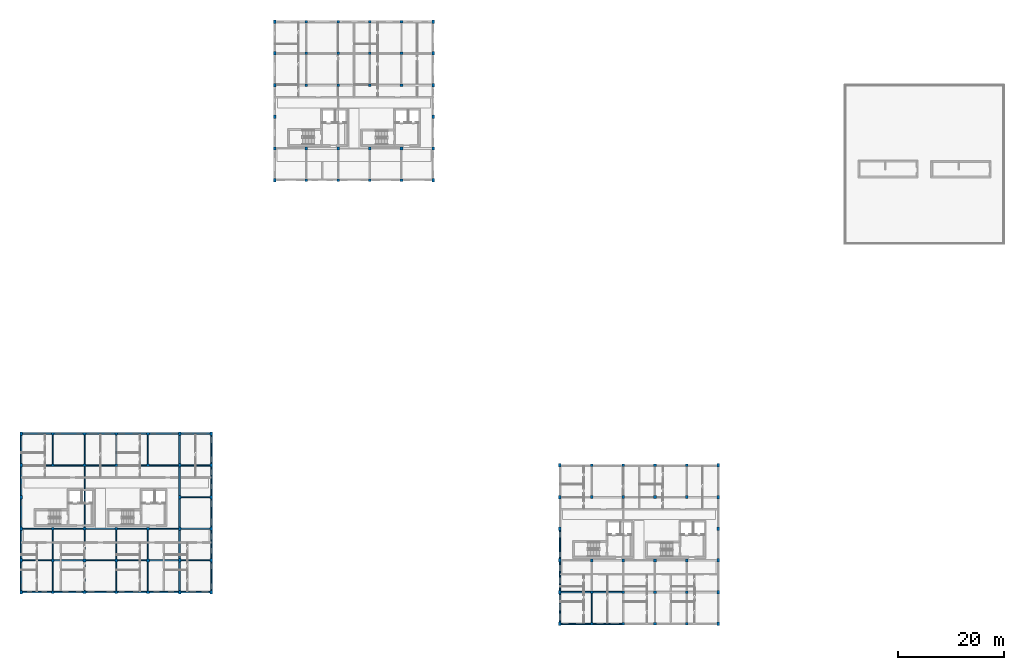
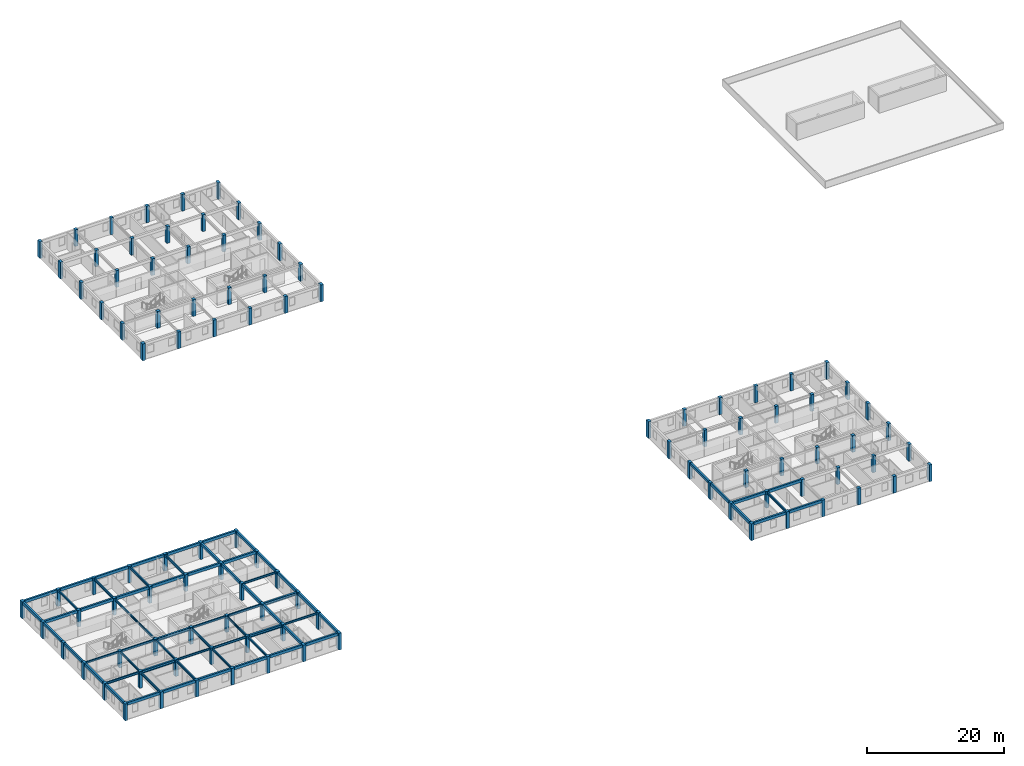
# One storey, part 1 of 23: 102 columns, 67 beams.
"""IFC4 building model written with IfcOpenShell, lengths in metres."""

from ifc_helpers import new_model, si_unit, direction, frame, origin, origin_2d, place, context, subcontext, project, spatial, rectangle, i_section, extrude, material, material_profile, profile_set, type_object, element, save


model = new_model("IFC4")

# Units and contexts
model_context = context("Model", 3, precision=1e-05, world=origin(), true_north=direction((0.0, 1.0)))
body_context = subcontext(model_context, "Body", "Model", "MODEL_VIEW")
ifc_project = project(units=[si_unit("LENGTHUNIT", "METRE"), si_unit("AREAUNIT", "SQUARE_METRE"), si_unit("VOLUMEUNIT", "CUBIC_METRE"), si_unit("PLANEANGLEUNIT", "RADIAN"), si_unit("MASSUNIT", "GRAM", prefix="KILO"), si_unit("POWERUNIT", "WATT"), si_unit("THERMODYNAMICTEMPERATUREUNIT", "KELVIN")], contexts=[model_context])

# Site, building, storey
site_placement = place(None, origin())
site = spatial("IfcSite", under=ifc_project, at=site_placement, CompositionType="ELEMENT")
building_placement = place(site_placement, origin())
building = spatial("IfcBuilding", under=site, at=building_placement, Name="Ruvembo Vaulted Housing Court", CompositionType="ELEMENT")
storey_placement = place(building_placement, frame((0.0, 0.0, 26.89990234375)))
storey = spatial("IfcBuildingStorey", under=building, at=storey_placement, Name="L08", CompositionType="ELEMENT", Elevation=26.89990234375)

# Columns
ifc_material_1 = material(Name="Concrete C35/45", Category="concrete")
ifc_material_profile_1 = material_profile(ifc_material_1, rectangle(XDim=0.449951171875, YDim=0.64990234375, at=origin_2d()), Name="RC 450x650")
ifc_profile_set_1 = profile_set([ifc_material_profile_1], Name="Concrete C35/45")
column_type_1 = type_object("IfcColumnType", Name="COL-RC-450x650", PredefinedType="COLUMN", material=ifc_profile_set_1)
for number, where, z_axis, x_axis, name in (
    (1, (0.0, 6.0, 0.0), (0.0, 0.0, 1.0), (1.0, 0.0, 0.0), "L08 Column (0,6)"),
    (2, (0.0, 12.0, 0.0), (0.0, 0.0, 1.0), (1.0, 0.0, 0.0), "L08 Column (0,12)"),
    (3, (0.0, 18.0, 0.0), (0.0, 0.0, 1.0), (1.0, 0.0, 0.0), "L08 Column (0,18)"),
    (4, (0.0, 24.0, 0.0), (0.0, 0.0, 1.0), (1.0, 0.0, 0.0), "L08 Column (0,24)"),
    (5, (0.0, 30.0, 0.0), (0.0, 0.0, 1.0), (1.0, 0.0, 0.0), "L08 Column (0,30)"),
    (6, (0.0, 36.0, 0.0), (0.0, 0.0, 1.0), (1.0, 0.0, 0.0), "L08 Column (0,36)"),
    (7, (30.0, 6.0, 0.0), (0.0, 0.0, 1.0), (1.0, 0.0, 0.0), "L08 Column (30,6)"),
    (8, (30.0, 12.0, 0.0), (0.0, 0.0, 1.0), (1.0, 0.0, 0.0), "L08 Column (30,12)"),
    (9, (30.0, 18.0, 0.0), (0.0, 0.0, 1.0), (1.0, 0.0, 0.0), "L08 Column (30,18)"),
    (10, (30.0, 24.0, 0.0), (0.0, 0.0, 1.0), (1.0, 0.0, 0.0), "L08 Column (30,24)"),
    (11, (30.0, 30.0, 0.0), (0.0, 0.0, 1.0), (1.0, 0.0, 0.0), "L08 Column (30,30)"),
    (12, (30.0, 36.0, 0.0), (0.0, 0.0, 1.0), (1.0, 0.0, 0.0), "L08 Column (30,36)"),
    (13, (36.0, 6.0, 0.0), (0.0, 0.0, 1.0), (1.0, 0.0, 0.0), "L08 Column (36,6)"),
    (14, (36.0, 12.0, 0.0), (0.0, 0.0, 1.0), (1.0, 0.0, 0.0), "L08 Column (36,12)"),
    (15, (36.0, 18.0, 0.0), (0.0, 0.0, 1.0), (1.0, 0.0, 0.0), "L08 Column (36,18)"),
    (16, (36.0, 24.0, 0.0), (0.0, 0.0, 1.0), (1.0, 0.0, 0.0), "L08 Column (36,24)"),
    (17, (36.0, 30.0, 0.0), (0.0, 0.0, 1.0), (1.0, 0.0, 0.0), "L08 Column (36,30)"),
    (18, (36.0, 36.0, 0.0), (0.0, 0.0, 1.0), (1.0, 0.0, 0.0), "L08 Column (36,36)"),
    (19, (48.0, 84.0, 0.0), (0.0, 0.0, 1.0), (1.0, 0.0, 0.0), "L08 Column (48,84)"),
    (20, (48.0, 90.0, 0.0), (0.0, 0.0, 1.0), (1.0, 0.0, 0.0), "L08 Column (48,90)"),
    (21, (48.0, 96.0, 0.0), (0.0, 0.0, 1.0), (1.0, 0.0, 0.0), "L08 Column (48,96)"),
    (22, (48.0, 102.0, 0.0), (0.0, 0.0, 1.0), (1.0, 0.0, 0.0), "L08 Column (48,102)"),
    (23, (48.0, 108.0, 0.0), (0.0, 0.0, 1.0), (1.0, 0.0, 0.0), "L08 Column (48,108)"),
    (24, (48.0, 114.0, 0.0), (0.0, 0.0, 1.0), (1.0, 0.0, 0.0), "L08 Column (48,114)"),
    (25, (78.0, 84.0, 0.0), (0.0, 0.0, 1.0), (1.0, 0.0, 0.0), "L08 Column (78,84)"),
    (26, (78.0, 90.0, 0.0), (0.0, 0.0, 1.0), (1.0, 0.0, 0.0), "L08 Column (78,90)"),
    (27, (78.0, 96.0, 0.0), (0.0, 0.0, 1.0), (1.0, 0.0, 0.0), "L08 Column (78,96)"),
    (28, (78.0, 102.0, 0.0), (0.0, 0.0, 1.0), (1.0, 0.0, 0.0), "L08 Column (78,102)"),
    (29, (78.0, 108.0, 0.0), (0.0, 0.0, 1.0), (1.0, 0.0, 0.0), "L08 Column (78,108)"),
    (30, (78.0, 114.0, 0.0), (0.0, 0.0, 1.0), (1.0, 0.0, 0.0), "L08 Column (78,114)"),
    (31, (102.0, 0.0, 0.0), (0.0, 0.0, 1.0), (1.0, 0.0, 0.0), "L08 Column (102,0)"),
    (32, (102.0, 6.0, 0.0), (0.0, 0.0, 1.0), (1.0, 0.0, 0.0), "L08 Column (102,6)"),
    (33, (102.0, 12.0, 0.0), (0.0, 0.0, 1.0), (1.0, 0.0, 0.0), "L08 Column (102,12)"),
    (34, (102.0, 18.0, 0.0), (0.0, 0.0, 1.0), (1.0, 0.0, 0.0), "L08 Column (102,18)"),
    (35, (102.0, 24.0, 0.0), (0.0, 0.0, 1.0), (1.0, 0.0, 0.0), "L08 Column (102,24)"),
    (36, (102.0, 30.0, 0.0), (0.0, 0.0, 1.0), (1.0, 0.0, 0.0), "L08 Column (102,30)"),
    (37, (132.0, 0.0, 0.0), (0.0, 0.0, 1.0), (1.0, 0.0, 0.0), "L08 Column (132,0)"),
    (38, (132.0, 6.0, 0.0), (0.0, 0.0, 1.0), (1.0, 0.0, 0.0), "L08 Column (132,6)"),
    (39, (132.0, 12.0, 0.0), (0.0, 0.0, 1.0), (1.0, 0.0, 0.0), "L08 Column (132,12)"),
    (40, (132.0, 18.0, 0.0), (0.0, 0.0, 1.0), (1.0, 0.0, 0.0), "L08 Column (132,18)"),
    (41, (132.0, 24.0, 0.0), (0.0, 0.0, 1.0), (1.0, 0.0, 0.0), "L08 Column (132,24)"),
    (42, (132.0, 30.0, 0.0), (0.0, 0.0, 1.0), (1.0, 0.0, 0.0), "L08 Column (132,30)"),
):
    element("IfcColumn", number, at=place(storey_placement, frame(where, z_axis=z_axis, x_axis=x_axis)), inside=storey, type_object=column_type_1, Name=name, PredefinedType="COLUMN", context=body_context, shape_type="SweptSolid", body=[
        extrude(rectangle(XDim=0.449951171875, YDim=0.64990234375, at=origin_2d()), origin(), (0.0, 0.0, 1.0), 2.97998046875),
    ])
ifc_material_profile_2 = material_profile(ifc_material_1, rectangle(XDim=0.5, YDim=0.5, at=origin_2d()), Name="RC 500x500")
ifc_profile_set_2 = profile_set([ifc_material_profile_2], Name="Concrete C35/45")
column_type_2 = type_object("IfcColumnType", Name="COL-RC-500", PredefinedType="COLUMN", material=ifc_profile_set_2)
for number, where, z_axis, x_axis, name in (
    (43, (6.0, 6.0, 0.0), (0.0, 0.0, 1.0), (1.0, 0.0, 0.0), "L08 Column (6,6)"),
    (44, (6.0, 12.0, 0.0), (0.0, 0.0, 1.0), (1.0, 0.0, 0.0), "L08 Column (6,12)"),
    (45, (6.0, 18.0, 0.0), (0.0, 0.0, 1.0), (1.0, 0.0, 0.0), "L08 Column (6,18)"),
    (46, (6.0, 30.0, 0.0), (0.0, 0.0, 1.0), (1.0, 0.0, 0.0), "L08 Column (6,30)"),
    (47, (6.0, 36.0, 0.0), (0.0, 0.0, 1.0), (1.0, 0.0, 0.0), "L08 Column (6,36)"),
    (48, (12.0, 6.0, 0.0), (0.0, 0.0, 1.0), (1.0, 0.0, 0.0), "L08 Column (12,6)"),
    (49, (12.0, 12.0, 0.0), (0.0, 0.0, 1.0), (1.0, 0.0, 0.0), "L08 Column (12,12)"),
    (50, (12.0, 18.0, 0.0), (0.0, 0.0, 1.0), (1.0, 0.0, 0.0), "L08 Column (12,18)"),
    (51, (12.0, 30.0, 0.0), (0.0, 0.0, 1.0), (1.0, 0.0, 0.0), "L08 Column (12,30)"),
    (52, (12.0, 36.0, 0.0), (0.0, 0.0, 1.0), (1.0, 0.0, 0.0), "L08 Column (12,36)"),
    (53, (18.0, 6.0, 0.0), (0.0, 0.0, 1.0), (1.0, 0.0, 0.0), "L08 Column (18,6)"),
    (54, (18.0, 12.0, 0.0), (0.0, 0.0, 1.0), (1.0, 0.0, 0.0), "L08 Column (18,12)"),
    (55, (18.0, 18.0, 0.0), (0.0, 0.0, 1.0), (1.0, 0.0, 0.0), "L08 Column (18,18)"),
    (56, (18.0, 30.0, 0.0), (0.0, 0.0, 1.0), (1.0, 0.0, 0.0), "L08 Column (18,30)"),
    (57, (18.0, 36.0, 0.0), (0.0, 0.0, 1.0), (1.0, 0.0, 0.0), "L08 Column (18,36)"),
    (58, (24.0, 6.0, 0.0), (0.0, 0.0, 1.0), (1.0, 0.0, 0.0), "L08 Column (24,6)"),
    (59, (24.0, 12.0, 0.0), (0.0, 0.0, 1.0), (1.0, 0.0, 0.0), "L08 Column (24,12)"),
    (60, (24.0, 18.0, 0.0), (0.0, 0.0, 1.0), (1.0, 0.0, 0.0), "L08 Column (24,18)"),
    (61, (24.0, 30.0, 0.0), (0.0, 0.0, 1.0), (1.0, 0.0, 0.0), "L08 Column (24,30)"),
    (62, (24.0, 36.0, 0.0), (0.0, 0.0, 1.0), (1.0, 0.0, 0.0), "L08 Column (24,36)"),
    (63, (54.0, 84.0, 0.0), (0.0, 0.0, 1.0), (1.0, 0.0, 0.0), "L08 Column (54,84)"),
    (64, (54.0, 90.0, 0.0), (0.0, 0.0, 1.0), (1.0, 0.0, 0.0), "L08 Column (54,90)"),
    (65, (54.0, 102.0, 0.0), (0.0, 0.0, 1.0), (1.0, 0.0, 0.0), "L08 Column (54,102)"),
    (66, (54.0, 108.0, 0.0), (0.0, 0.0, 1.0), (1.0, 0.0, 0.0), "L08 Column (54,108)"),
    (67, (54.0, 114.0, 0.0), (0.0, 0.0, 1.0), (1.0, 0.0, 0.0), "L08 Column (54,114)"),
    (68, (60.0, 84.0, 0.0), (0.0, 0.0, 1.0), (1.0, 0.0, 0.0), "L08 Column (60,84)"),
    (69, (60.0, 90.0, 0.0), (0.0, 0.0, 1.0), (1.0, 0.0, 0.0), "L08 Column (60,90)"),
    (70, (60.0, 102.0, 0.0), (0.0, 0.0, 1.0), (1.0, 0.0, 0.0), "L08 Column (60,102)"),
    (71, (60.0, 108.0, 0.0), (0.0, 0.0, 1.0), (1.0, 0.0, 0.0), "L08 Column (60,108)"),
    (72, (60.0, 114.0, 0.0), (0.0, 0.0, 1.0), (1.0, 0.0, 0.0), "L08 Column (60,114)"),
    (73, (66.0, 84.0, 0.0), (0.0, 0.0, 1.0), (1.0, 0.0, 0.0), "L08 Column (66,84)"),
    (74, (66.0, 90.0, 0.0), (0.0, 0.0, 1.0), (1.0, 0.0, 0.0), "L08 Column (66,90)"),
    (75, (66.0, 102.0, 0.0), (0.0, 0.0, 1.0), (1.0, 0.0, 0.0), "L08 Column (66,102)"),
    (76, (66.0, 108.0, 0.0), (0.0, 0.0, 1.0), (1.0, 0.0, 0.0), "L08 Column (66,108)"),
    (77, (66.0, 114.0, 0.0), (0.0, 0.0, 1.0), (1.0, 0.0, 0.0), "L08 Column (66,114)"),
    (78, (72.0, 84.0, 0.0), (0.0, 0.0, 1.0), (1.0, 0.0, 0.0), "L08 Column (72,84)"),
    (79, (72.0, 90.0, 0.0), (0.0, 0.0, 1.0), (1.0, 0.0, 0.0), "L08 Column (72,90)"),
    (80, (72.0, 102.0, 0.0), (0.0, 0.0, 1.0), (1.0, 0.0, 0.0), "L08 Column (72,102)"),
    (81, (72.0, 108.0, 0.0), (0.0, 0.0, 1.0), (1.0, 0.0, 0.0), "L08 Column (72,108)"),
    (82, (72.0, 114.0, 0.0), (0.0, 0.0, 1.0), (1.0, 0.0, 0.0), "L08 Column (72,114)"),
    (83, (108.0, 0.0, 0.0), (0.0, 0.0, 1.0), (1.0, 0.0, 0.0), "L08 Column (108,0)"),
    (84, (108.0, 6.0, 0.0), (0.0, 0.0, 1.0), (1.0, 0.0, 0.0), "L08 Column (108,6)"),
    (85, (108.0, 12.0, 0.0), (0.0, 0.0, 1.0), (1.0, 0.0, 0.0), "L08 Column (108,12)"),
    (86, (108.0, 24.0, 0.0), (0.0, 0.0, 1.0), (1.0, 0.0, 0.0), "L08 Column (108,24)"),
    (87, (108.0, 30.0, 0.0), (0.0, 0.0, 1.0), (1.0, 0.0, 0.0), "L08 Column (108,30)"),
    (88, (114.0, 0.0, 0.0), (0.0, 0.0, 1.0), (1.0, 0.0, 0.0), "L08 Column (114,0)"),
    (89, (114.0, 6.0, 0.0), (0.0, 0.0, 1.0), (1.0, 0.0, 0.0), "L08 Column (114,6)"),
    (90, (114.0, 12.0, 0.0), (0.0, 0.0, 1.0), (1.0, 0.0, 0.0), "L08 Column (114,12)"),
    (91, (114.0, 24.0, 0.0), (0.0, 0.0, 1.0), (1.0, 0.0, 0.0), "L08 Column (114,24)"),
    (92, (114.0, 30.0, 0.0), (0.0, 0.0, 1.0), (1.0, 0.0, 0.0), "L08 Column (114,30)"),
    (93, (120.0, 0.0, 0.0), (0.0, 0.0, 1.0), (1.0, 0.0, 0.0), "L08 Column (120,0)"),
    (94, (120.0, 6.0, 0.0), (0.0, 0.0, 1.0), (1.0, 0.0, 0.0), "L08 Column (120,6)"),
    (95, (120.0, 12.0, 0.0), (0.0, 0.0, 1.0), (1.0, 0.0, 0.0), "L08 Column (120,12)"),
    (96, (120.0, 24.0, 0.0), (0.0, 0.0, 1.0), (1.0, 0.0, 0.0), "L08 Column (120,24)"),
    (97, (120.0, 30.0, 0.0), (0.0, 0.0, 1.0), (1.0, 0.0, 0.0), "L08 Column (120,30)"),
    (98, (126.0, 0.0, 0.0), (0.0, 0.0, 1.0), (1.0, 0.0, 0.0), "L08 Column (126,0)"),
    (99, (126.0, 6.0, 0.0), (0.0, 0.0, 1.0), (1.0, 0.0, 0.0), "L08 Column (126,6)"),
    (100, (126.0, 12.0, 0.0), (0.0, 0.0, 1.0), (1.0, 0.0, 0.0), "L08 Column (126,12)"),
    (101, (126.0, 24.0, 0.0), (0.0, 0.0, 1.0), (1.0, 0.0, 0.0), "L08 Column (126,24)"),
    (102, (126.0, 30.0, 0.0), (0.0, 0.0, 1.0), (1.0, 0.0, 0.0), "L08 Column (126,30)"),
):
    element("IfcColumn", number, at=place(storey_placement, frame(where, z_axis=z_axis, x_axis=x_axis)), inside=storey, type_object=column_type_2, Name=name, PredefinedType="COLUMN", context=body_context, shape_type="SweptSolid", body=[
        extrude(rectangle(XDim=0.5, YDim=0.5, at=origin_2d()), origin(), (0.0, 0.0, 1.0), 2.97998046875),
    ])

# Beams
ifc_material_2 = material(Name="Steel S355J2", Category="steel")
ifc_material_profile_3 = material_profile(ifc_material_2, i_section(OverallWidth=0.300048828125, OverallDepth=0.5, WebThickness=0.014404296875, FlangeThickness=0.028076171875, FilletRadius=0.027099609375, at=origin_2d()), Name="HEB 320")
ifc_profile_set_3 = profile_set([ifc_material_profile_3], Name="Steel S355J2")
beam_type_1 = type_object("IfcBeamType", Name="BM-ST-HEB320", PredefinedType="BEAM", material=ifc_profile_set_3)
beam_1_placement = place(storey_placement, frame((6.235107421875, 12.0, 2.676025390625), z_axis=(1.0, 0.0, 0.0), x_axis=(0.0, 1.0, 0.0)))
element("IfcBeam", 103, at=beam_1_placement, inside=storey, type_object=beam_type_1, Name="L08 Grid Beam X #2996", PredefinedType="BEAM", context=body_context, shape_type="SweptSolid", body=[
    extrude(i_section(OverallWidth=0.300048828125, OverallDepth=0.5, WebThickness=0.014404296875, FlangeThickness=0.028076171875, FilletRadius=0.027099609375, at=origin_2d()), origin(), (0.0, 0.0, 1.0), 5.52978515625),
])
beam_2_placement = place(storey_placement, frame((24.235107421875, 12.0, 2.676025390625), z_axis=(1.0, 0.0, 0.0), x_axis=(0.0, 1.0, 0.0)))
element("IfcBeam", 104, at=beam_2_placement, inside=storey, type_object=beam_type_1, Name="L08 Grid Beam X #2999", PredefinedType="BEAM", context=body_context, shape_type="SweptSolid", body=[
    extrude(i_section(OverallWidth=0.300048828125, OverallDepth=0.5, WebThickness=0.014404296875, FlangeThickness=0.028076171875, FilletRadius=0.027099609375, at=origin_2d()), origin(), (0.0, 0.0, 1.0), 5.554931640625),
])
beam_3_placement = place(storey_placement, frame((12.235107421875, 18.0, 2.676025390625), z_axis=(1.0, 0.0, 0.0), x_axis=(0.0, 1.0, 0.0)))
element("IfcBeam", 105, at=beam_3_placement, inside=storey, type_object=beam_type_1, Name="L08 Grid Beam X #3008", PredefinedType="BEAM", context=body_context, shape_type="SweptSolid", body=[
    extrude(i_section(OverallWidth=0.300048828125, OverallDepth=0.5, WebThickness=0.014404296875, FlangeThickness=0.028076171875, FilletRadius=0.027099609375, at=origin_2d()), origin(), (0.0, 0.0, 1.0), 5.52978515625),
])
beam_4_placement = place(storey_placement, frame((30.2099609375, 18.0, 2.676025390625), z_axis=(1.0, 0.0, 0.0), x_axis=(0.0, 1.0, 0.0)))
element("IfcBeam", 106, at=beam_4_placement, inside=storey, type_object=beam_type_1, Name="L08 Grid Beam X #3011", PredefinedType="BEAM", context=body_context, shape_type="SweptSolid", body=[
    extrude(i_section(OverallWidth=0.300048828125, OverallDepth=0.5, WebThickness=0.014404296875, FlangeThickness=0.028076171875, FilletRadius=0.027099609375, at=origin_2d()), origin(), (0.0, 0.0, 1.0), 5.580078125),
])
ifc_material_profile_4 = material_profile(ifc_material_2, i_section(OverallWidth=0.169921875, OverallDepth=0.360107421875, WebThickness=0.008056640625, FlangeThickness=0.0126953125, FilletRadius=0.01806640625, at=origin_2d()), Name="IPE 360")
ifc_profile_set_4 = profile_set([ifc_material_profile_4], Name="Steel S355J2")
beam_type_2 = type_object("IfcBeamType", Name="BM-ST-IPE360", PredefinedType="BEAM", material=ifc_profile_set_4)
beam_5_placement = place(storey_placement, frame((12.235107421875, 12.0, 2.74609375), z_axis=(1.0, 0.0, 0.0), x_axis=(0.0, 1.0, 0.0)))
element("IfcBeam", 107, at=beam_5_placement, inside=storey, type_object=beam_type_2, Name="L08 Grid Beam X #2997", PredefinedType="BEAM", context=body_context, shape_type="SweptSolid", body=[
    extrude(i_section(OverallWidth=0.169921875, OverallDepth=0.360107421875, WebThickness=0.008056640625, FlangeThickness=0.0126953125, FilletRadius=0.01806640625, at=origin_2d()), origin(), (0.0, 0.0, 1.0), 5.52978515625),
])
beam_6_placement = place(storey_placement, frame((30.2099609375, 12.0, 2.74609375), z_axis=(1.0, 0.0, 0.0), x_axis=(0.0, 1.0, 0.0)))
element("IfcBeam", 108, at=beam_6_placement, inside=storey, type_object=beam_type_2, Name="L08 Grid Beam X #3000", PredefinedType="BEAM", context=body_context, shape_type="SweptSolid", body=[
    extrude(i_section(OverallWidth=0.169921875, OverallDepth=0.360107421875, WebThickness=0.008056640625, FlangeThickness=0.0126953125, FilletRadius=0.01806640625, at=origin_2d()), origin(), (0.0, 0.0, 1.0), 5.580078125),
])
beam_7_placement = place(storey_placement, frame((0.2099609375, 18.0, 2.74609375), z_axis=(1.0, 0.0, 0.0), x_axis=(0.0, 1.0, 0.0)))
element("IfcBeam", 109, at=beam_7_placement, inside=storey, type_object=beam_type_2, Name="L08 Grid Beam X #3006", PredefinedType="BEAM", context=body_context, shape_type="SweptSolid", body=[
    extrude(i_section(OverallWidth=0.169921875, OverallDepth=0.360107421875, WebThickness=0.008056640625, FlangeThickness=0.0126953125, FilletRadius=0.01806640625, at=origin_2d()), origin(), (0.0, 0.0, 1.0), 5.554931640625),
])
beam_8_placement = place(storey_placement, frame((18.235107421875, 18.0, 2.74609375), z_axis=(1.0, 0.0, 0.0), x_axis=(0.0, 1.0, 0.0)))
element("IfcBeam", 110, at=beam_8_placement, inside=storey, type_object=beam_type_2, Name="L08 Grid Beam X #3009", PredefinedType="BEAM", context=body_context, shape_type="SweptSolid", body=[
    extrude(i_section(OverallWidth=0.169921875, OverallDepth=0.360107421875, WebThickness=0.008056640625, FlangeThickness=0.0126953125, FilletRadius=0.01806640625, at=origin_2d()), origin(), (0.0, 0.0, 1.0), 5.52978515625),
])
beam_9_placement = place(storey_placement, frame((30.2099609375, 24.0, 2.74609375), z_axis=(1.0, 0.0, 0.0), x_axis=(0.0, 1.0, 0.0)))
element("IfcBeam", 111, at=beam_9_placement, inside=storey, type_object=beam_type_2, Name="L08 Grid Beam X #3012", PredefinedType="BEAM", context=body_context, shape_type="SweptSolid", body=[
    extrude(i_section(OverallWidth=0.169921875, OverallDepth=0.360107421875, WebThickness=0.008056640625, FlangeThickness=0.0126953125, FilletRadius=0.01806640625, at=origin_2d()), origin(), (0.0, 0.0, 1.0), 5.580078125),
])
for number, where, z_axis, x_axis, name in (
    (112, (6.0, 12.235107421875, 2.74609375), (0.0, 1.0, 0.0), (-1.0, 0.0, 0.0), "L08 Grid Beam Y #3066"),
    (113, (12.0, 12.235107421875, 2.74609375), (0.0, 1.0, 0.0), (-1.0, 0.0, 0.0), "L08 Grid Beam Y #3069"),
    (114, (18.0, 6.235107421875, 2.74609375), (0.0, 1.0, 0.0), (-1.0, 0.0, 0.0), "L08 Grid Beam Y #3072"),
    (115, (24.0, 6.235107421875, 2.74609375), (0.0, 1.0, 0.0), (-1.0, 0.0, 0.0), "L08 Grid Beam Y #3075"),
):
    element("IfcBeam", number, at=place(storey_placement, frame(where, z_axis=z_axis, x_axis=x_axis)), inside=storey, type_object=beam_type_2, Name=name, PredefinedType="BEAM", context=body_context, shape_type="SweptSolid", body=[
        extrude(i_section(OverallWidth=0.169921875, OverallDepth=0.360107421875, WebThickness=0.008056640625, FlangeThickness=0.0126953125, FilletRadius=0.01806640625, at=origin_2d()), origin(), (0.0, 0.0, 1.0), 5.52978515625),
    ])
ifc_material_profile_5 = material_profile(ifc_material_2, i_section(OverallWidth=0.179931640625, OverallDepth=0.39990234375, WebThickness=0.008544921875, FlangeThickness=0.013427734375, FilletRadius=0.02099609375, at=origin_2d()), Name="IPE 400")
ifc_profile_set_5 = profile_set([ifc_material_profile_5], Name="Steel S355J2")
beam_type_3 = type_object("IfcBeamType", Name="BM-ST-IPE400", PredefinedType="BEAM", material=ifc_profile_set_5)
beam_10_placement = place(storey_placement, frame((0.2099609375, 12.0, 2.72607421875), z_axis=(1.0, 0.0, 0.0), x_axis=(0.0, 1.0, 0.0)))
element("IfcBeam", 116, at=beam_10_placement, inside=storey, type_object=beam_type_3, Name="L08 Grid Beam X #2995", PredefinedType="BEAM", context=body_context, shape_type="SweptSolid", body=[
    extrude(i_section(OverallWidth=0.179931640625, OverallDepth=0.39990234375, WebThickness=0.008544921875, FlangeThickness=0.013427734375, FilletRadius=0.02099609375, at=origin_2d()), origin(), (0.0, 0.0, 1.0), 5.554931640625),
])
for number, where, z_axis, x_axis, name in (
    (117, (18.235107421875, 12.0, 2.72607421875), (1.0, 0.0, 0.0), (0.0, 1.0, 0.0), "L08 Grid Beam X #2998"),
    (118, (6.235107421875, 18.0, 2.72607421875), (1.0, 0.0, 0.0), (0.0, 1.0, 0.0), "L08 Grid Beam X #3007"),
):
    element("IfcBeam", number, at=place(storey_placement, frame(where, z_axis=z_axis, x_axis=x_axis)), inside=storey, type_object=beam_type_3, Name=name, PredefinedType="BEAM", context=body_context, shape_type="SweptSolid", body=[
        extrude(i_section(OverallWidth=0.179931640625, OverallDepth=0.39990234375, WebThickness=0.008544921875, FlangeThickness=0.013427734375, FilletRadius=0.02099609375, at=origin_2d()), origin(), (0.0, 0.0, 1.0), 5.52978515625),
    ])
beam_11_placement = place(storey_placement, frame((24.235107421875, 18.0, 2.72607421875), z_axis=(1.0, 0.0, 0.0), x_axis=(0.0, 1.0, 0.0)))
element("IfcBeam", 119, at=beam_11_placement, inside=storey, type_object=beam_type_3, Name="L08 Grid Beam X #3010", PredefinedType="BEAM", context=body_context, shape_type="SweptSolid", body=[
    extrude(i_section(OverallWidth=0.179931640625, OverallDepth=0.39990234375, WebThickness=0.008544921875, FlangeThickness=0.013427734375, FilletRadius=0.02099609375, at=origin_2d()), origin(), (0.0, 0.0, 1.0), 5.554931640625),
])
beam_12_placement = place(storey_placement, frame((6.0, 30.235107421875, 2.72607421875), z_axis=(0.0, 1.0, 0.0), x_axis=(-1.0, 0.0, 0.0)))
element("IfcBeam", 120, at=beam_12_placement, inside=storey, type_object=beam_type_3, Name="L08 Grid Beam Y #3067", PredefinedType="BEAM", context=body_context, shape_type="SweptSolid", body=[
    extrude(i_section(OverallWidth=0.179931640625, OverallDepth=0.39990234375, WebThickness=0.008544921875, FlangeThickness=0.013427734375, FilletRadius=0.02099609375, at=origin_2d()), origin(), (0.0, 0.0, 1.0), 5.52978515625),
])
beam_13_placement = place(storey_placement, frame((12.0, 18.235107421875, 2.72607421875), z_axis=(0.0, 1.0, 0.0), x_axis=(-1.0, 0.0, 0.0)))
element("IfcBeam", 121, at=beam_13_placement, inside=storey, type_object=beam_type_3, Name="L08 Grid Beam Y #3070", PredefinedType="BEAM", context=body_context, shape_type="SweptSolid", body=[
    extrude(i_section(OverallWidth=0.179931640625, OverallDepth=0.39990234375, WebThickness=0.008544921875, FlangeThickness=0.013427734375, FilletRadius=0.02099609375, at=origin_2d()), origin(), (0.0, 0.0, 1.0), 11.52978515625),
])
for number, where, z_axis, x_axis, name in (
    (122, (18.0, 12.235107421875, 2.72607421875), (0.0, 1.0, 0.0), (-1.0, 0.0, 0.0), "L08 Grid Beam Y #3073"),
    (123, (24.0, 12.235107421875, 2.72607421875), (0.0, 1.0, 0.0), (-1.0, 0.0, 0.0), "L08 Grid Beam Y #3076"),
):
    element("IfcBeam", number, at=place(storey_placement, frame(where, z_axis=z_axis, x_axis=x_axis)), inside=storey, type_object=beam_type_3, Name=name, PredefinedType="BEAM", context=body_context, shape_type="SweptSolid", body=[
        extrude(i_section(OverallWidth=0.179931640625, OverallDepth=0.39990234375, WebThickness=0.008544921875, FlangeThickness=0.013427734375, FilletRadius=0.02099609375, at=origin_2d()), origin(), (0.0, 0.0, 1.0), 5.52978515625),
    ])
ifc_material_profile_6 = material_profile(ifc_material_2, i_section(OverallWidth=0.18994140625, OverallDepth=0.449951171875, WebThickness=0.009521484375, FlangeThickness=0.0146484375, FilletRadius=0.02099609375, at=origin_2d()), Name="IPE 450")
ifc_profile_set_6 = profile_set([ifc_material_profile_6], Name="Steel S355J2")
beam_type_4 = type_object("IfcBeamType", Name="BM-ST-IPE450", PredefinedType="BEAM", material=ifc_profile_set_6)
for number, where, z_axis, x_axis, name in (
    (124, (6.0, 6.235107421875, 2.701171875), (0.0, 1.0, 0.0), (-1.0, 0.0, 0.0), "L08 Grid Beam Y #3065"),
    (125, (12.0, 6.235107421875, 2.701171875), (0.0, 1.0, 0.0), (-1.0, 0.0, 0.0), "L08 Grid Beam Y #3068"),
    (126, (12.0, 30.235107421875, 2.701171875), (0.0, 1.0, 0.0), (-1.0, 0.0, 0.0), "L08 Grid Beam Y #3071"),
    (127, (18.0, 30.235107421875, 2.701171875), (0.0, 1.0, 0.0), (-1.0, 0.0, 0.0), "L08 Grid Beam Y #3074"),
    (128, (24.0, 30.235107421875, 2.701171875), (0.0, 1.0, 0.0), (-1.0, 0.0, 0.0), "L08 Grid Beam Y #3077"),
    (129, (108.0, 0.235107421875, 2.701171875), (0.0, 1.0, 0.0), (-1.0, 0.0, 0.0), "L08 Grid Beam Y #3116"),
):
    element("IfcBeam", number, at=place(storey_placement, frame(where, z_axis=z_axis, x_axis=x_axis)), inside=storey, type_object=beam_type_4, Name=name, PredefinedType="BEAM", context=body_context, shape_type="SweptSolid", body=[
        extrude(i_section(OverallWidth=0.18994140625, OverallDepth=0.449951171875, WebThickness=0.009521484375, FlangeThickness=0.0146484375, FilletRadius=0.02099609375, at=origin_2d()), origin(), (0.0, 0.0, 1.0), 5.52978515625),
    ])
ifc_material_profile_7 = material_profile(ifc_material_1, rectangle(XDim=0.300048828125, YDim=0.5, at=origin_2d()), Name="RC 300x500")
ifc_profile_set_7 = profile_set([ifc_material_profile_7], Name="Concrete C35/45")
beam_type_5 = type_object("IfcBeamType", Name="SP-RC-300x500", PredefinedType="SPANDREL", material=ifc_profile_set_7)
beam_14_placement = place(storey_placement, frame((102.2099609375, 0.0, 2.72998046875), z_axis=(1.0, 0.0, 0.0), x_axis=(0.0, 1.0, 0.0)))
element("IfcBeam", 130, at=beam_14_placement, inside=storey, type_object=beam_type_5, Name="L08 Grid Beam X #2979", PredefinedType="SPANDREL", context=body_context, shape_type="SweptSolid", body=[
    extrude(rectangle(XDim=0.300048828125, YDim=0.5, at=origin_2d()), origin(), (0.0, 0.0, 1.0), 5.554931640625),
])
beam_15_placement = place(storey_placement, frame((108.235107421875, 0.0, 2.72998046875), z_axis=(1.0, 0.0, 0.0), x_axis=(0.0, 1.0, 0.0)))
element("IfcBeam", 131, at=beam_15_placement, inside=storey, type_object=beam_type_5, Name="L08 Grid Beam X #2980", PredefinedType="SPANDREL", context=body_context, shape_type="SweptSolid", body=[
    extrude(rectangle(XDim=0.300048828125, YDim=0.5, at=origin_2d()), origin(), (0.0, 0.0, 1.0), 5.52978515625),
])
beam_16_placement = place(storey_placement, frame((0.2099609375, 6.0, 2.72998046875), z_axis=(1.0, 0.0, 0.0), x_axis=(0.0, 1.0, 0.0)))
element("IfcBeam", 132, at=beam_16_placement, inside=storey, type_object=beam_type_5, Name="L08 Grid Beam X #2984", PredefinedType="SPANDREL", context=body_context, shape_type="SweptSolid", body=[
    extrude(rectangle(XDim=0.300048828125, YDim=0.5, at=origin_2d()), origin(), (0.0, 0.0, 1.0), 5.554931640625),
])
for number, where, z_axis, x_axis, name in (
    (133, (6.235107421875, 6.0, 2.72998046875), (1.0, 0.0, 0.0), (0.0, 1.0, 0.0), "L08 Grid Beam X #2985"),
    (134, (12.235107421875, 6.0, 2.72998046875), (1.0, 0.0, 0.0), (0.0, 1.0, 0.0), "L08 Grid Beam X #2986"),
    (135, (18.235107421875, 6.0, 2.72998046875), (1.0, 0.0, 0.0), (0.0, 1.0, 0.0), "L08 Grid Beam X #2987"),
):
    element("IfcBeam", number, at=place(storey_placement, frame(where, z_axis=z_axis, x_axis=x_axis)), inside=storey, type_object=beam_type_5, Name=name, PredefinedType="SPANDREL", context=body_context, shape_type="SweptSolid", body=[
        extrude(rectangle(XDim=0.300048828125, YDim=0.5, at=origin_2d()), origin(), (0.0, 0.0, 1.0), 5.52978515625),
    ])
beam_17_placement = place(storey_placement, frame((24.235107421875, 6.0, 2.72998046875), z_axis=(1.0, 0.0, 0.0), x_axis=(0.0, 1.0, 0.0)))
element("IfcBeam", 136, at=beam_17_placement, inside=storey, type_object=beam_type_5, Name="L08 Grid Beam X #2988", PredefinedType="SPANDREL", context=body_context, shape_type="SweptSolid", body=[
    extrude(rectangle(XDim=0.300048828125, YDim=0.5, at=origin_2d()), origin(), (0.0, 0.0, 1.0), 5.554931640625),
])
beam_18_placement = place(storey_placement, frame((30.2099609375, 6.0, 2.72998046875), z_axis=(1.0, 0.0, 0.0), x_axis=(0.0, 1.0, 0.0)))
element("IfcBeam", 137, at=beam_18_placement, inside=storey, type_object=beam_type_5, Name="L08 Grid Beam X #2989", PredefinedType="SPANDREL", context=body_context, shape_type="SweptSolid", body=[
    extrude(rectangle(XDim=0.300048828125, YDim=0.5, at=origin_2d()), origin(), (0.0, 0.0, 1.0), 5.580078125),
])
beam_19_placement = place(storey_placement, frame((102.2099609375, 6.0, 2.72998046875), z_axis=(1.0, 0.0, 0.0), x_axis=(0.0, 1.0, 0.0)))
element("IfcBeam", 138, at=beam_19_placement, inside=storey, type_object=beam_type_5, Name="L08 Grid Beam X #2990", PredefinedType="SPANDREL", context=body_context, shape_type="SweptSolid", body=[
    extrude(rectangle(XDim=0.300048828125, YDim=0.5, at=origin_2d()), origin(), (0.0, 0.0, 1.0), 5.554931640625),
])
beam_20_placement = place(storey_placement, frame((108.235107421875, 6.0, 2.72998046875), z_axis=(1.0, 0.0, 0.0), x_axis=(0.0, 1.0, 0.0)))
element("IfcBeam", 139, at=beam_20_placement, inside=storey, type_object=beam_type_5, Name="L08 Grid Beam X #2991", PredefinedType="SPANDREL", context=body_context, shape_type="SweptSolid", body=[
    extrude(rectangle(XDim=0.300048828125, YDim=0.5, at=origin_2d()), origin(), (0.0, 0.0, 1.0), 5.52978515625),
])
beam_21_placement = place(storey_placement, frame((0.2099609375, 30.0, 2.72998046875), z_axis=(1.0, 0.0, 0.0), x_axis=(0.0, 1.0, 0.0)))
element("IfcBeam", 140, at=beam_21_placement, inside=storey, type_object=beam_type_5, Name="L08 Grid Beam X #3018", PredefinedType="SPANDREL", context=body_context, shape_type="SweptSolid", body=[
    extrude(rectangle(XDim=0.300048828125, YDim=0.5, at=origin_2d()), origin(), (0.0, 0.0, 1.0), 5.554931640625),
])
for number, where, z_axis, x_axis, name in (
    (141, (6.235107421875, 30.0, 2.72998046875), (1.0, 0.0, 0.0), (0.0, 1.0, 0.0), "L08 Grid Beam X #3019"),
    (142, (12.235107421875, 30.0, 2.72998046875), (1.0, 0.0, 0.0), (0.0, 1.0, 0.0), "L08 Grid Beam X #3020"),
    (143, (18.235107421875, 30.0, 2.72998046875), (1.0, 0.0, 0.0), (0.0, 1.0, 0.0), "L08 Grid Beam X #3021"),
):
    element("IfcBeam", number, at=place(storey_placement, frame(where, z_axis=z_axis, x_axis=x_axis)), inside=storey, type_object=beam_type_5, Name=name, PredefinedType="SPANDREL", context=body_context, shape_type="SweptSolid", body=[
        extrude(rectangle(XDim=0.300048828125, YDim=0.5, at=origin_2d()), origin(), (0.0, 0.0, 1.0), 5.52978515625),
    ])
beam_22_placement = place(storey_placement, frame((24.235107421875, 30.0, 2.72998046875), z_axis=(1.0, 0.0, 0.0), x_axis=(0.0, 1.0, 0.0)))
element("IfcBeam", 144, at=beam_22_placement, inside=storey, type_object=beam_type_5, Name="L08 Grid Beam X #3022", PredefinedType="SPANDREL", context=body_context, shape_type="SweptSolid", body=[
    extrude(rectangle(XDim=0.300048828125, YDim=0.5, at=origin_2d()), origin(), (0.0, 0.0, 1.0), 5.554931640625),
])
beam_23_placement = place(storey_placement, frame((30.2099609375, 30.0, 2.72998046875), z_axis=(1.0, 0.0, 0.0), x_axis=(0.0, 1.0, 0.0)))
element("IfcBeam", 145, at=beam_23_placement, inside=storey, type_object=beam_type_5, Name="L08 Grid Beam X #3023", PredefinedType="SPANDREL", context=body_context, shape_type="SweptSolid", body=[
    extrude(rectangle(XDim=0.300048828125, YDim=0.5, at=origin_2d()), origin(), (0.0, 0.0, 1.0), 5.580078125),
])
beam_24_placement = place(storey_placement, frame((0.2099609375, 36.0, 2.72998046875), z_axis=(1.0, 0.0, 0.0), x_axis=(0.0, 1.0, 0.0)))
element("IfcBeam", 146, at=beam_24_placement, inside=storey, type_object=beam_type_5, Name="L08 Grid Beam X #3029", PredefinedType="SPANDREL", context=body_context, shape_type="SweptSolid", body=[
    extrude(rectangle(XDim=0.300048828125, YDim=0.5, at=origin_2d()), origin(), (0.0, 0.0, 1.0), 5.554931640625),
])
for number, where, z_axis, x_axis, name in (
    (147, (6.235107421875, 36.0, 2.72998046875), (1.0, 0.0, 0.0), (0.0, 1.0, 0.0), "L08 Grid Beam X #3030"),
    (148, (12.235107421875, 36.0, 2.72998046875), (1.0, 0.0, 0.0), (0.0, 1.0, 0.0), "L08 Grid Beam X #3031"),
    (149, (18.235107421875, 36.0, 2.72998046875), (1.0, 0.0, 0.0), (0.0, 1.0, 0.0), "L08 Grid Beam X #3032"),
):
    element("IfcBeam", number, at=place(storey_placement, frame(where, z_axis=z_axis, x_axis=x_axis)), inside=storey, type_object=beam_type_5, Name=name, PredefinedType="SPANDREL", context=body_context, shape_type="SweptSolid", body=[
        extrude(rectangle(XDim=0.300048828125, YDim=0.5, at=origin_2d()), origin(), (0.0, 0.0, 1.0), 5.52978515625),
    ])
beam_25_placement = place(storey_placement, frame((24.235107421875, 36.0, 2.72998046875), z_axis=(1.0, 0.0, 0.0), x_axis=(0.0, 1.0, 0.0)))
element("IfcBeam", 150, at=beam_25_placement, inside=storey, type_object=beam_type_5, Name="L08 Grid Beam X #3033", PredefinedType="SPANDREL", context=body_context, shape_type="SweptSolid", body=[
    extrude(rectangle(XDim=0.300048828125, YDim=0.5, at=origin_2d()), origin(), (0.0, 0.0, 1.0), 5.554931640625),
])
beam_26_placement = place(storey_placement, frame((30.2099609375, 36.0, 2.72998046875), z_axis=(1.0, 0.0, 0.0), x_axis=(0.0, 1.0, 0.0)))
element("IfcBeam", 151, at=beam_26_placement, inside=storey, type_object=beam_type_5, Name="L08 Grid Beam X #3034", PredefinedType="SPANDREL", context=body_context, shape_type="SweptSolid", body=[
    extrude(rectangle(XDim=0.300048828125, YDim=0.5, at=origin_2d()), origin(), (0.0, 0.0, 1.0), 5.580078125),
])
for number, where, z_axis, x_axis, name in (
    (152, (0.0, 6.31005859375, 2.72998046875), (0.0, 1.0, 0.0), (-1.0, 0.0, 0.0), "L08 Grid Beam Y #3060"),
    (153, (0.0, 12.31005859375, 2.72998046875), (0.0, 1.0, 0.0), (-1.0, 0.0, 0.0), "L08 Grid Beam Y #3061"),
    (154, (0.0, 18.31005859375, 2.72998046875), (0.0, 1.0, 0.0), (-1.0, 0.0, 0.0), "L08 Grid Beam Y #3062"),
    (155, (0.0, 24.31005859375, 2.72998046875), (0.0, 1.0, 0.0), (-1.0, 0.0, 0.0), "L08 Grid Beam Y #3063"),
    (156, (0.0, 30.31005859375, 2.72998046875), (0.0, 1.0, 0.0), (-1.0, 0.0, 0.0), "L08 Grid Beam Y #3064"),
    (157, (30.0, 6.31005859375, 2.72998046875), (0.0, 1.0, 0.0), (-1.0, 0.0, 0.0), "L08 Grid Beam Y #3078"),
    (158, (30.0, 12.31005859375, 2.72998046875), (0.0, 1.0, 0.0), (-1.0, 0.0, 0.0), "L08 Grid Beam Y #3079"),
    (159, (30.0, 18.31005859375, 2.72998046875), (0.0, 1.0, 0.0), (-1.0, 0.0, 0.0), "L08 Grid Beam Y #3080"),
    (160, (30.0, 24.31005859375, 2.72998046875), (0.0, 1.0, 0.0), (-1.0, 0.0, 0.0), "L08 Grid Beam Y #3081"),
    (161, (30.0, 30.31005859375, 2.72998046875), (0.0, 1.0, 0.0), (-1.0, 0.0, 0.0), "L08 Grid Beam Y #3082"),
    (162, (36.0, 6.31005859375, 2.72998046875), (0.0, 1.0, 0.0), (-1.0, 0.0, 0.0), "L08 Grid Beam Y #3083"),
    (163, (36.0, 12.31005859375, 2.72998046875), (0.0, 1.0, 0.0), (-1.0, 0.0, 0.0), "L08 Grid Beam Y #3084"),
    (164, (36.0, 18.31005859375, 2.72998046875), (0.0, 1.0, 0.0), (-1.0, 0.0, 0.0), "L08 Grid Beam Y #3085"),
    (165, (36.0, 24.31005859375, 2.72998046875), (0.0, 1.0, 0.0), (-1.0, 0.0, 0.0), "L08 Grid Beam Y #3086"),
    (166, (36.0, 30.31005859375, 2.72998046875), (0.0, 1.0, 0.0), (-1.0, 0.0, 0.0), "L08 Grid Beam Y #3087"),
    (167, (102.0, 0.31005859375, 2.72998046875), (0.0, 1.0, 0.0), (-1.0, 0.0, 0.0), "L08 Grid Beam Y #3111"),
    (168, (102.0, 6.31005859375, 2.72998046875), (0.0, 1.0, 0.0), (-1.0, 0.0, 0.0), "L08 Grid Beam Y #3112"),
    (169, (102.0, 12.31005859375, 2.72998046875), (0.0, 1.0, 0.0), (-1.0, 0.0, 0.0), "L08 Grid Beam Y #3113"),
):
    element("IfcBeam", number, at=place(storey_placement, frame(where, z_axis=z_axis, x_axis=x_axis)), inside=storey, type_object=beam_type_5, Name=name, PredefinedType="SPANDREL", context=body_context, shape_type="SweptSolid", body=[
        extrude(rectangle(XDim=0.300048828125, YDim=0.5, at=origin_2d()), origin(), (0.0, 0.0, 1.0), 5.3798828125),
    ])

save(model, "model.ifc")
